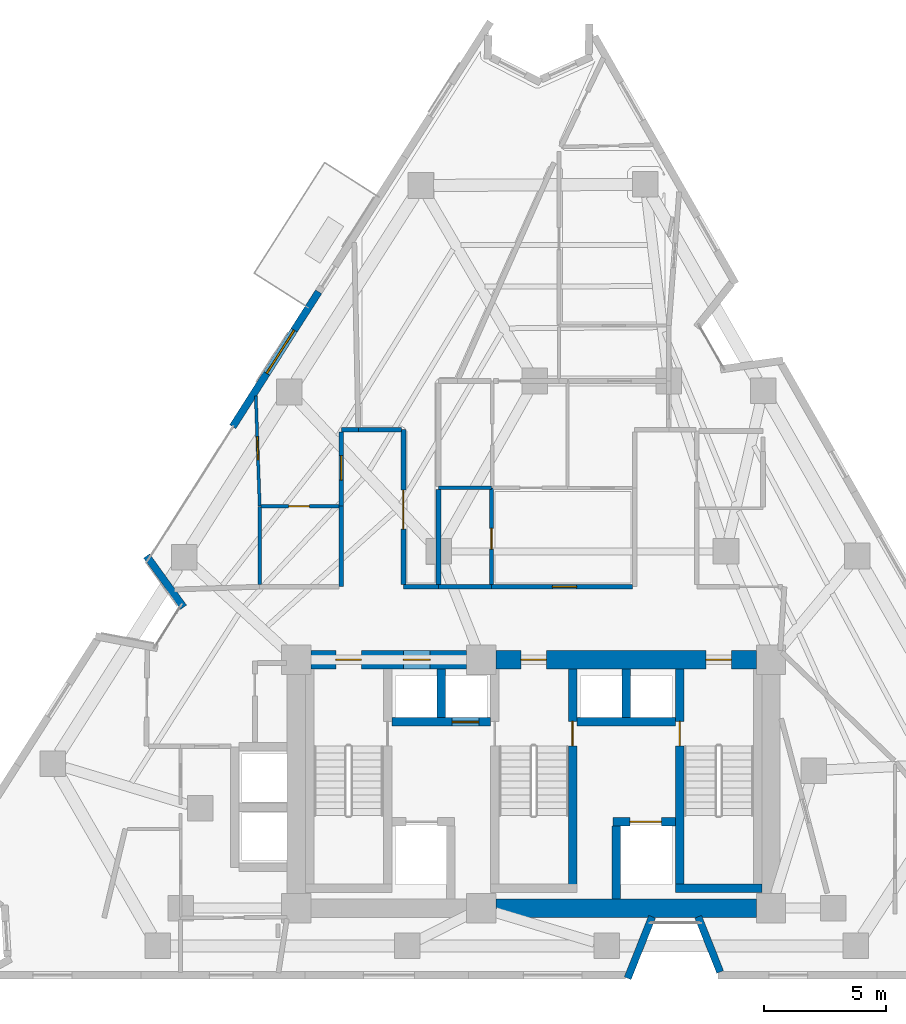
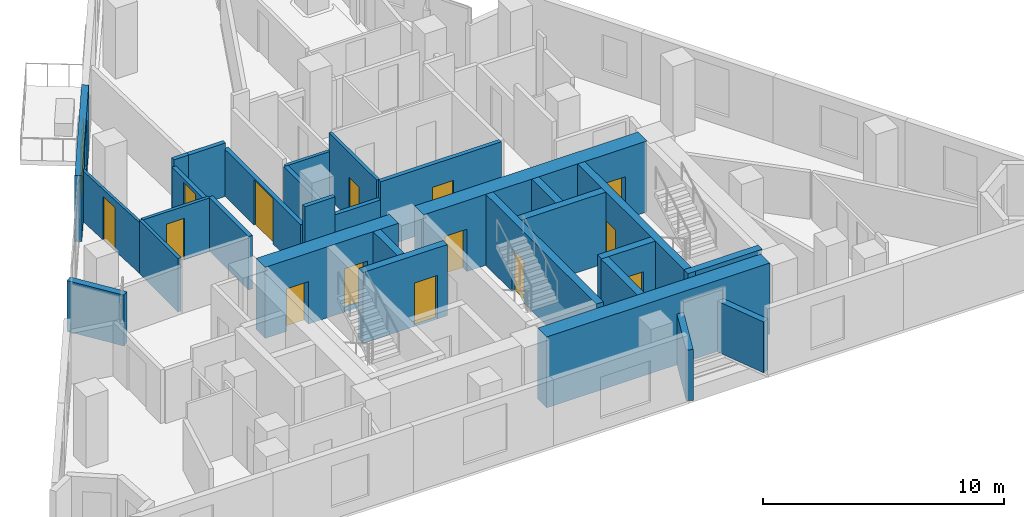
# One storey, part 6 of 11: 30 walls, 14 doors, 1 window, 15 openings.
"""IFC4 building model written with IfcOpenShell, lengths in metres."""

from ifc_helpers import new_model, si_unit, direction, frame, frame_2d, origin, place, context, subcontext, project, spatial, rectangle, extrude, material, layer, layer_set, type_object, element, fill, save


model = new_model("IFC4")

# Units and contexts
model_context = context("Model", 3, precision=1e-05, world=origin(), true_north=direction((0.0, 1.0)))
body_context = subcontext(model_context, "Body", "Model", "MODEL_VIEW")
ifc_project = project(units=[si_unit("LENGTHUNIT", "METRE"), si_unit("AREAUNIT", "SQUARE_METRE"), si_unit("VOLUMEUNIT", "CUBIC_METRE"), si_unit("PLANEANGLEUNIT", "RADIAN"), si_unit("MASSUNIT", "GRAM", prefix="KILO")], contexts=[model_context])

# Site, building, storey
site_placement = place(None, origin())
site = spatial("IfcSite", under=ifc_project, at=site_placement, CompositionType="ELEMENT")
building_placement = place(site_placement, origin())
building = spatial("IfcBuilding", under=site, at=building_placement, Name="Almagre Mirador Tower", CompositionType="ELEMENT")
storey_placement = place(building_placement, frame((0.0, 0.0, 135.60009765625)))
storey = spatial("IfcBuildingStorey", under=building, at=storey_placement, Name="L34", CompositionType="ELEMENT", Elevation=135.60009765625)

# Wall
ifc_material_1 = material(Name="Precast concrete C50/60", Category="concrete")
ifc_layer_1 = layer(ifc_material_1, 0.300048828125)
ifc_layer_set_1 = layer_set([ifc_layer_1], Name="Precast concrete C50/60")
wall_type_1 = type_object("IfcWallType", Name="WAL-EXT-300", PredefinedType="SOLIDWALL", material=ifc_layer_set_1)
wall_1_placement = place(storey_placement, frame((22.923828125, 16.908447265625, 0.0), z_axis=(0.0, 0.0, 1.0), x_axis=(-0.585229316709, 0.810867835633, 0.0)))
element("IfcWall", 1, at=wall_1_placement, inside=storey, type_object=wall_type_1, Name="L34 expressed almagre precast frame wall 02", PredefinedType="SOLIDWALL", context=body_context, shape_type="SweptSolid", body=[
    extrude(rectangle(XDim=2.593505859375, YDim=0.300048828125, at=frame_2d((1.296875, 0.0))), origin(), (0.0, 0.0, 1.0), 2.574951171875),
])

# Wall, opening, window
wall_2_placement = place(storey_placement, frame((24.941162109375, 24.32080078125, 0.0), z_axis=(0.0, 0.0, 1.0), x_axis=(0.537099115242, 0.84351914051, 0.0)))
wall_2 = element("IfcWall", 2, at=wall_2_placement, inside=storey, type_object=wall_type_1, Name="L34 expressed almagre precast frame wall 03", PredefinedType="SOLIDWALL", context=body_context, shape_type="SweptSolid", body=[
    extrude(rectangle(XDim=6.5693359375, YDim=0.300048828125, at=frame_2d((3.28466796875, 0.0))), origin(), (0.0, 0.0, 1.0), 3.349853515625),
])
opening_1_placement = place(wall_2_placement, frame((2.60009765625, 0.0, 0.550048828125)))
opening_1 = element("IfcOpeningElement", 3, at=opening_1_placement, cuts=wall_2, Name="Opening WN-05", PredefinedType="OPENING", context=body_context, shape_type="SweptSolid", body=[
    extrude(rectangle(XDim=2.10009765625, YDim=2.39990234375, at=frame_2d((1.050048828125, 1.199951171875))), frame((0.0, 0.159902, 0.0), z_axis=(0.0, -1.0, 0.0), x_axis=(1.0, 0.0, 0.0)), (0.0, 0.0, 1.0), 0.320049),
])
ifc_material_2 = material(Name="Dark solar-control laminated hurricane glass", Category="glass")
window_type = type_object("IfcWindowType", Name="WIN-2100X2400", PartitioningType="DOUBLE_PANEL_VERTICAL", PredefinedType="WINDOW", material=ifc_material_2)
window_placement = place(opening_1_placement, origin())
window = element("IfcWindow", 4, at=window_placement, inside=storey, type_object=window_type, Name="L34 recessed hurricane window L34-UF-ST", OverallHeight=2.39990234375, OverallWidth=2.10009765625, PartitioningType="SINGLE_PANEL", PredefinedType="WINDOW", context=body_context, shape_type="SweptSolid", body=[
    extrude(rectangle(XDim=2.10009765625, YDim=2.39990234375, at=frame_2d((1.050048828125, 1.199951171875))), frame((0.0, 0.030029296875, 0.0), z_axis=(0.0, -1.0, 0.0), x_axis=(1.0, 0.0, 0.0)), (0.0, 0.0, 1.0), 0.06005859375),
])
fill(opening_1, window)

# Walls
wall_3_placement = place(storey_placement, frame((44.960205078125, 1.93017578125, 0.0), z_axis=(0.0, 0.0, 1.0), x_axis=(-0.369476217581, 0.929240186734, 0.0)))
element("IfcWall", 5, at=wall_3_placement, inside=storey, type_object=wall_type_1, Name="L34 expressed almagre precast frame wall 24", PredefinedType="SOLIDWALL", context=body_context, shape_type="SweptSolid", body=[
    extrude(rectangle(XDim=2.441650390625, YDim=0.300048828125, at=frame_2d((1.220703125, 0.0))), origin(), (0.0, 0.0, 1.0), 2.574951171875),
])
wall_4_placement = place(storey_placement, frame((42.166015625, 4.198974609375, 0.0), z_axis=(0.0, 0.0, 1.0), x_axis=(-0.369487569888, -0.929235672851, 0.0)))
element("IfcWall", 6, at=wall_4_placement, inside=storey, type_object=wall_type_1, Name="L34 expressed almagre precast frame wall 25", PredefinedType="SOLIDWALL", context=body_context, shape_type="SweptSolid", body=[
    extrude(rectangle(XDim=2.7216796875, YDim=0.300048828125, at=frame_2d((1.36083984375, 0.0))), origin(), (0.0, 0.0, 1.0), 2.574951171875),
])

# Wall, opening, door
ifc_material_3 = material(Name="Gypsum acoustic stud partition", Category="other")
ifc_layer_2 = layer(ifc_material_3, 0.125)
ifc_layer_set_2 = layer_set([ifc_layer_2], Name="Gypsum acoustic stud partition")
wall_type_2 = type_object("IfcWallType", Name="WAL-PRT-125-UTL", PredefinedType="PARTITIONING", material=ifc_layer_set_2)
wall_5_placement = place(storey_placement, frame((25.889892578125, 25.592041015625, 0.0), z_axis=(0.0, 0.0, 1.0), x_axis=(0.03531706941, -0.999376157715, 0.0)))
wall_5 = element("IfcWall", 7, at=wall_5_placement, inside=storey, type_object=wall_type_2, Name="L34 interior partition 037", PredefinedType="PARTITIONING", context=body_context, shape_type="SweptSolid", body=[
    extrude(rectangle(XDim=4.534912109375, YDim=0.125, at=frame_2d((2.267578125, 0.0))), origin(), (0.0, 0.0, 1.0), 2.56982421875),
])
opening_2_placement = place(wall_5_placement, frame((1.679443359375, 0.0, 0.0)))
opening_2 = element("IfcOpeningElement", 8, at=opening_2_placement, cuts=wall_5, Name="Opening UD-01", PredefinedType="OPENING", context=body_context, shape_type="SweptSolid", body=[
    extrude(rectangle(XDim=0.949951171875, YDim=2.199951171875, at=frame_2d((0.47509765625, 1.10009765625))), frame((0.0, 0.0725, 0.0), z_axis=(0.0, -1.0, 0.0), x_axis=(1.0, 0.0, 0.0)), (0.0, 0.0, 1.0), 0.145),
])
ifc_material_4 = material(Name="Solid American walnut timber", Category="wood")
door_type_1 = type_object("IfcDoorType", Name="DOR-UNR-950X2200", OperationType="NOTDEFINED", PredefinedType="DOOR", material=ifc_material_4)
door_1_placement = place(opening_2_placement, origin())
door_1 = element("IfcDoor", 9, at=door_1_placement, inside=storey, type_object=door_type_1, Name="DR-1116 L34 interior door L34-UF-ST to L34-UF-KT", OperationType="SINGLE_SWING_RIGHT", OverallHeight=2.199951171875, OverallWidth=0.949951171875, PredefinedType="DOOR", context=body_context, shape_type="SweptSolid", body=[
    extrude(rectangle(XDim=0.949951171875, YDim=2.199951171875, at=frame_2d((0.47509765625, 1.10009765625))), frame((0.0, 0.02490234375, 0.0), z_axis=(0.0, -1.0, 0.0), x_axis=(1.0, 0.0, 0.0)), (0.0, 0.0, 1.0), 0.050048828125),
])
fill(opening_2, door_1)

ifc_material_5 = material(Name="Gypsum acoustic stud partition", Category="other")
ifc_layer_3 = layer(ifc_material_5, 0.14990234375)
ifc_layer_set_3 = layer_set([ifc_layer_3], Name="Gypsum acoustic stud partition")
wall_type_3 = type_object("IfcWallType", Name="WAL-PRT-150-STD", PredefinedType="PARTITIONING", material=ifc_layer_set_3)
wall_6_placement = place(storey_placement, frame((26.097412109375, 21.06005859375, 0.0), z_axis=(0.0, 0.0, 1.0), x_axis=(1.0, 0.0, 0.0)))
wall_6 = element("IfcWall", 10, at=wall_6_placement, inside=storey, type_object=wall_type_3, Name="L34 interior partition 038", PredefinedType="PARTITIONING", context=body_context, shape_type="SweptSolid", body=[
    extrude(rectangle(XDim=3.217529296875, YDim=0.14990234375, at=frame_2d((1.60888671875, 0.0))), origin(), (0.0, 0.0, 1.0), 2.708984375),
])
opening_3_placement = place(wall_6_placement, frame((1.14404296875, 0.0, 0.0)))
opening_3 = element("IfcOpeningElement", 11, at=opening_3_placement, cuts=wall_6, Name="Opening UD-04", PredefinedType="OPENING", context=body_context, shape_type="SweptSolid", body=[
    extrude(rectangle(XDim=0.85009765625, YDim=2.10009765625, at=frame_2d((0.425048828125, 1.050048828125))), frame((0.0, 0.084951, 0.0), z_axis=(0.0, -1.0, 0.0), x_axis=(1.0, 0.0, 0.0)), (0.0, 0.0, 1.0), 0.169902),
])
ifc_material_6 = material(Name="Moisture-resistant oak timber", Category="wood")
door_type_2 = type_object("IfcDoorType", Name="DOR-UNR-850X2100", OperationType="NOTDEFINED", PredefinedType="DOOR", material=ifc_material_6)
door_2_placement = place(opening_3_placement, origin())
door_2 = element("IfcDoor", 12, at=door_2_placement, inside=storey, type_object=door_type_2, Name="DR-1117 L34 interior door L34-UF-ST to L34-UF-BT", OperationType="SINGLE_SWING_LEFT", OverallHeight=2.10009765625, OverallWidth=0.85009765625, PredefinedType="DOOR", context=body_context, shape_type="SweptSolid", body=[
    extrude(rectangle(XDim=0.85009765625, YDim=2.10009765625, at=frame_2d((0.425048828125, 1.050048828125))), frame((0.0, 0.02490234375, 0.0), z_axis=(0.0, -1.0, 0.0), x_axis=(1.0, 0.0, 0.0)), (0.0, 0.0, 1.0), 0.050048828125),
])
fill(opening_3, door_2)

# Wall
wall_7_placement = place(storey_placement, frame((26.050048828125, 17.8349609375, 0.0), z_axis=(0.0, 0.0, 1.0), x_axis=(0.0, 1.0, 0.0)))
element("IfcWall", 13, at=wall_7_placement, inside=storey, type_object=wall_type_3, Name="L34 interior partition 040", PredefinedType="PARTITIONING", context=body_context, shape_type="SweptSolid", body=[
    extrude(rectangle(XDim=3.212646484375, YDim=0.14990234375, at=frame_2d((1.6064453125, 0.0))), origin(), (0.0, 0.0, 1.0), 2.708984375),
])

# Wall, opening, door
wall_8_placement = place(storey_placement, frame((35.570068359375, 21.81005859375, 0.0), z_axis=(0.0, 0.0, 1.0), x_axis=(0.0, -1.0, 0.0)))
wall_8 = element("IfcWall", 14, at=wall_8_placement, inside=storey, type_object=wall_type_3, Name="L34 interior partition 041", PredefinedType="PARTITIONING", context=body_context, shape_type="SweptSolid", body=[
    extrude(rectangle(XDim=3.97509765625, YDim=0.14990234375, at=frame_2d((1.987548828125, 0.0))), origin(), (0.0, 0.0, 1.0), 3.349853515625),
])
opening_4_placement = place(wall_8_placement, frame((1.66357421875, 0.0, 0.0)))
opening_4 = element("IfcOpeningElement", 15, at=opening_4_placement, cuts=wall_8, Name="Opening UD-04", PredefinedType="OPENING", context=body_context, shape_type="SweptSolid", body=[
    extrude(rectangle(XDim=0.85009765625, YDim=2.10009765625, at=frame_2d((0.425048828125, 1.050048828125))), frame((0.0, 0.084951, 0.0), z_axis=(0.0, -1.0, 0.0), x_axis=(1.0, 0.0, 0.0)), (0.0, 0.0, 1.0), 0.169902),
])
door_3_placement = place(opening_4_placement, origin())
door_3 = element("IfcDoor", 16, at=door_3_placement, inside=storey, type_object=door_type_2, Name="DR-1120 L34 interior door L34-UG-LV to L34-UG-HB", OperationType="SINGLE_SWING_RIGHT", OverallHeight=2.10009765625, OverallWidth=0.85009765625, PredefinedType="DOOR", context=body_context, shape_type="SweptSolid", body=[
    extrude(rectangle(XDim=0.85009765625, YDim=2.10009765625, at=frame_2d((0.425048828125, 1.050048828125))), frame((0.0, 0.02490234375, 0.0), z_axis=(0.0, -1.0, 0.0), x_axis=(1.0, 0.0, 0.0)), (0.0, 0.0, 1.0), 0.050048828125),
])
fill(opening_4, door_3)

# Walls
wall_9_placement = place(storey_placement, frame((35.570068359375, 21.81005859375, 0.0), z_axis=(0.0, 0.0, 1.0), x_axis=(-1.0, 0.0, 0.0)))
element("IfcWall", 17, at=wall_9_placement, inside=storey, type_object=wall_type_3, Name="L34 interior partition 044", PredefinedType="PARTITIONING", context=body_context, shape_type="SweptSolid", body=[
    extrude(rectangle(XDim=2.170166015625, YDim=0.14990234375, at=frame_2d((1.0849609375, 0.0))), origin(), (0.0, 0.0, 1.0), 2.435791015625),
])
ifc_material_7 = material(Name="Gypsum acoustic stud partition", Category="other")
ifc_layer_4 = layer(ifc_material_7, 0.199951171875)
ifc_layer_set_4 = layer_set([ifc_layer_4], Name="Gypsum acoustic stud partition")
wall_type_4 = type_object("IfcWallType", Name="WAL-PRT-200-EI60", PredefinedType="PARTITIONING", material=ifc_layer_set_4)
wall_10_placement = place(storey_placement, frame((30.10009765625, 24.199951171875, 0.0), z_axis=(0.0, 0.0, 1.0), x_axis=(-1.0, 0.0, 0.0)))
element("IfcWall", 18, at=wall_10_placement, inside=storey, type_object=wall_type_4, Name="L34 interior partition 007", PredefinedType="PARTITIONING", context=body_context, shape_type="SweptSolid", body=[
    extrude(rectangle(XDim=0.7001953125, YDim=0.199951171875, at=frame_2d((0.35009765625, 0.0))), origin(), (0.0, 0.0, 1.0), 2.708984375),
])

# Wall, opening, door
wall_11_placement = place(storey_placement, frame((29.39990234375, 24.114990234375, 0.0), z_axis=(0.0, 0.0, 1.0), x_axis=(0.0, -1.0, 0.0)))
wall_11 = element("IfcWall", 19, at=wall_11_placement, inside=storey, type_object=wall_type_4, Name="L34 interior partition 008", PredefinedType="PARTITIONING", context=body_context, shape_type="SweptSolid", body=[
    extrude(rectangle(XDim=3.054931640625, YDim=0.199951171875, at=frame_2d((1.52734375, 0.0))), origin(), (0.0, 0.0, 1.0), 2.371826171875),
])
opening_5_placement = place(wall_11_placement, frame((0.985107421875, 0.0, 0.0)))
opening_5 = element("IfcOpeningElement", 20, at=opening_5_placement, cuts=wall_11, Name="Opening ID-01", PredefinedType="OPENING", context=body_context, shape_type="SweptSolid", body=[
    extrude(rectangle(XDim=1.0, YDim=2.199951171875, at=frame_2d((0.5, 1.10009765625))), frame((0.0, 0.110098, 0.0), z_axis=(0.0, -1.0, 0.0), x_axis=(1.0, 0.0, 0.0)), (0.0, 0.0, 1.0), 0.219951),
])
ifc_material_8 = material(Name="Fire-rated walnut timber", Category="wood")
door_type_3 = type_object("IfcDoorType", Name="DOR-FD60-1000X2200", OperationType="NOTDEFINED", PredefinedType="DOOR", material=ifc_material_8)
door_4_placement = place(opening_5_placement, origin())
door_4 = element("IfcDoor", 21, at=door_4_placement, inside=storey, type_object=door_type_3, Name="DR-1115 L34 interior door L34-RCOR to L34-UF-ST", OperationType="SINGLE_SWING_LEFT", OverallHeight=2.199951171875, OverallWidth=1.0, PredefinedType="DOOR", context=body_context, shape_type="SweptSolid", body=[
    extrude(rectangle(XDim=1.0, YDim=2.199951171875, at=frame_2d((0.5, 1.10009765625))), frame((0.0, 0.02490234375, 0.0), z_axis=(0.0, -1.0, 0.0), x_axis=(1.0, 0.0, 0.0)), (0.0, 0.0, 1.0), 0.050048828125),
])
fill(opening_5, door_4)

# Wall
wall_12_placement = place(storey_placement, frame((29.39990234375, 21.06005859375, 0.0), z_axis=(0.0, 0.0, 1.0), x_axis=(0.0, -1.0, 0.0)))
element("IfcWall", 22, at=wall_12_placement, inside=storey, type_object=wall_type_4, Name="L34 interior partition 010", PredefinedType="PARTITIONING", context=body_context, shape_type="SweptSolid", body=[
    extrude(rectangle(XDim=3.31005859375, YDim=0.199951171875, at=frame_2d((1.655029296875, 0.0))), origin(), (0.0, 0.0, 1.0), 2.708984375),
])

# Wall, opening, door
wall_13_placement = place(storey_placement, frame((41.364990234375, 17.75, 0.0), z_axis=(0.0, 0.0, 1.0), x_axis=(-1.0, 0.0, 0.0)))
wall_13 = element("IfcWall", 23, at=wall_13_placement, inside=storey, type_object=wall_type_4, Name="L34 interior partition 013", PredefinedType="PARTITIONING", context=body_context, shape_type="SweptSolid", body=[
    extrude(rectangle(XDim=5.794921875, YDim=0.199951171875, at=frame_2d((2.8974609375, 0.0))), origin(), (0.0, 0.0, 1.0), 3.349853515625),
])
opening_6_placement = place(wall_13_placement, frame((2.2958984375, 0.0, 0.0)))
opening_6 = element("IfcOpeningElement", 24, at=opening_6_placement, cuts=wall_13, Name="Opening ID-01", PredefinedType="OPENING", context=body_context, shape_type="SweptSolid", body=[
    extrude(rectangle(XDim=1.0, YDim=2.199951171875, at=frame_2d((0.5, 1.10009765625))), frame((0.0, 0.110098, 0.0), z_axis=(0.0, -1.0, 0.0), x_axis=(1.0, 0.0, 0.0)), (0.0, 0.0, 1.0), 0.219951),
])
door_5_placement = place(opening_6_placement, origin())
door_5 = element("IfcDoor", 25, at=door_5_placement, inside=storey, type_object=door_type_3, Name="DR-1118 L34 interior door L34-RCOR to L34-UG-LV", OperationType="SINGLE_SWING_RIGHT", OverallHeight=2.199951171875, OverallWidth=1.0, PredefinedType="DOOR", context=body_context, shape_type="SweptSolid", body=[
    extrude(rectangle(XDim=1.0, YDim=2.199951171875, at=frame_2d((0.5, 1.10009765625))), frame((0.0, 0.02490234375, 0.0), z_axis=(0.0, -1.0, 0.0), x_axis=(1.0, 0.0, 0.0)), (0.0, 0.0, 1.0), 0.050048828125),
])
fill(opening_6, door_5)

# Walls
wall_14_placement = place(storey_placement, frame((35.570068359375, 17.75, 0.0), z_axis=(0.0, 0.0, 1.0), x_axis=(-1.0, 0.0, 0.0)))
element("IfcWall", 26, at=wall_14_placement, inside=storey, type_object=wall_type_4, Name="L34 interior partition 014", PredefinedType="PARTITIONING", context=body_context, shape_type="SweptSolid", body=[
    extrude(rectangle(XDim=2.170166015625, YDim=0.199951171875, at=frame_2d((1.0849609375, 0.0))), origin(), (0.0, 0.0, 1.0), 2.435791015625),
])
wall_15_placement = place(storey_placement, frame((33.39990234375, 17.75, 0.0), z_axis=(0.0, 0.0, 1.0), x_axis=(-1.0, 0.0, 0.0)))
element("IfcWall", 27, at=wall_15_placement, inside=storey, type_object=wall_type_4, Name="L34 interior partition 019", PredefinedType="PARTITIONING", context=body_context, shape_type="SweptSolid", body=[
    extrude(rectangle(XDim=1.449951171875, YDim=0.199951171875, at=frame_2d((0.72509765625, 0.0))), origin(), (0.0, 0.0, 1.0), 3.349853515625),
])

# Wall, opening, door
wall_16_placement = place(storey_placement, frame((31.949951171875, 17.8349609375, 0.0), z_axis=(0.0, 0.0, 1.0), x_axis=(0.0, 1.0, 0.0)))
wall_16 = element("IfcWall", 28, at=wall_16_placement, inside=storey, type_object=wall_type_4, Name="L34 interior partition 020", PredefinedType="PARTITIONING", context=body_context, shape_type="SweptSolid", body=[
    extrude(rectangle(XDim=6.364990234375, YDim=0.199951171875, at=frame_2d((3.1826171875, 0.0))), origin(), (0.0, 0.0, 1.0), 2.371826171875),
])
opening_7_placement = place(wall_16_placement, frame((2.281494140625, 0.0, 0.0)))
opening_7 = element("IfcOpeningElement", 29, at=opening_7_placement, cuts=wall_16, Name="Opening ID-05", PredefinedType="OPENING", context=body_context, shape_type="SweptSolid", body=[
    extrude(rectangle(XDim=1.60009765625, YDim=2.300048828125, at=frame_2d((0.800048828125, 1.14990234375))), frame((0.0, 0.110098, 0.0), z_axis=(0.0, -1.0, 0.0), x_axis=(1.0, 0.0, 0.0)), (0.0, 0.0, 1.0), 0.219951),
])
ifc_material_9 = material(Name="Fire-rated acoustic timber", Category="wood")
door_type_4 = type_object("IfcDoorType", Name="DOR-FD60-1600X2300", OperationType="DOUBLE_DOOR_SINGLE_SWING", PredefinedType="DOOR", material=ifc_material_9)
door_6_placement = place(opening_7_placement, origin())
door_6 = element("IfcDoor", 30, at=door_6_placement, inside=storey, type_object=door_type_4, Name="DR-1108 L34 interior door L34-RCOR to L34-RST-J", OperationType="DOUBLE_DOOR_SINGLE_SWING", OverallHeight=2.300048828125, OverallWidth=1.60009765625, PredefinedType="DOOR", context=body_context, shape_type="SweptSolid", body=[
    extrude(rectangle(XDim=1.60009765625, YDim=2.300048828125, at=frame_2d((0.800048828125, 1.14990234375))), frame((0.0, 0.02490234375, 0.0), z_axis=(0.0, -1.0, 0.0), x_axis=(1.0, 0.0, 0.0)), (0.0, 0.0, 1.0), 0.050048828125),
])
fill(opening_7, door_6)

# Walls
wall_17_placement = place(storey_placement, frame((31.864990234375, 24.199951171875, 0.0), z_axis=(0.0, 0.0, 1.0), x_axis=(-1.0, 0.0, 0.0)))
element("IfcWall", 31, at=wall_17_placement, inside=storey, type_object=wall_type_4, Name="L34 interior partition 021", PredefinedType="PARTITIONING", context=body_context, shape_type="SweptSolid", body=[
    extrude(rectangle(XDim=1.764892578125, YDim=0.199951171875, at=frame_2d((0.88232421875, 0.0))), origin(), (0.0, 0.0, 1.0), 2.708984375),
])
wall_18_placement = place(storey_placement, frame((33.39990234375, 21.75, 0.0), z_axis=(0.0, 0.0, 1.0), x_axis=(0.0, -1.0, 0.0)))
element("IfcWall", 32, at=wall_18_placement, inside=storey, type_object=wall_type_4, Name="L34 interior partition 045", PredefinedType="PARTITIONING", context=body_context, shape_type="SweptSolid", body=[
    extrude(rectangle(XDim=3.9150390625, YDim=0.199951171875, at=frame_2d((1.95751953125, 0.0))), origin(), (0.0, 0.0, 1.0), 2.435791015625),
])

# Wall, opening, door
ifc_material_10 = material(Name="Concrete C60/75", Category="concrete")
ifc_layer_5 = layer(ifc_material_10, 0.35009765625)
ifc_layer_set_5 = layer_set([ifc_layer_5], Name="Concrete C60/75")
wall_type_5 = type_object("IfcWallType", Name="WAL-SHF-350", PredefinedType="SOLIDWALL", material=ifc_layer_set_5)
wall_19_placement = place(storey_placement, frame((38.89990234375, 5.199951171875, 0.0), z_axis=(0.0, 0.0, 1.0), x_axis=(0.0, 1.0, 0.0)))
wall_19 = element("IfcWall", 33, at=wall_19_placement, inside=storey, type_object=wall_type_5, Name="L34 shaft wall ST2-E", PredefinedType="SOLIDWALL", context=body_context, shape_type="SweptSolid", body=[
    extrude(rectangle(XDim=9.175048828125, YDim=0.35009765625, at=frame_2d((4.58740234375, 0.0))), origin(), (0.0, 0.0, 1.0), 3.599853515625),
])
opening_8_placement = place(wall_19_placement, frame((6.02001953125, 0.0, 0.0)))
opening_8 = element("IfcOpeningElement", 34, at=opening_8_placement, cuts=wall_19, Name="Opening FD-01", PredefinedType="OPENING", context=body_context, shape_type="SweptSolid", body=[
    extrude(rectangle(XDim=1.0, YDim=2.14990234375, at=frame_2d((0.5, 1.074951171875))), frame((0.0, 0.185049, 0.0), z_axis=(0.0, -1.0, 0.0), x_axis=(1.0, 0.0, 0.0)), (0.0, 0.0, 1.0), 0.370098),
])
ifc_material_11 = material(Name="Fire-rated hollow steel", Category="steel")
door_type_5 = type_object("IfcDoorType", Name="DOR-FFL-1000X2150", OperationType="NOTDEFINED", PredefinedType="DOOR", material=ifc_material_11)
door_7_placement = place(opening_8_placement, origin())
door_7 = element("IfcDoor", 35, at=door_7_placement, inside=storey, type_object=door_type_5, Name="DR-1104 L34 FFL2-ST2 smokeproof door", OperationType="SINGLE_SWING_RIGHT", OverallHeight=2.14990234375, OverallWidth=1.0, PredefinedType="DOOR", context=body_context, shape_type="SweptSolid", body=[
    extrude(rectangle(XDim=1.0, YDim=2.14990234375, at=frame_2d((0.5, 1.074951171875))), frame((0.0, 0.02490234375, 0.0), z_axis=(0.0, -1.0, 0.0), x_axis=(1.0, 0.0, 0.0)), (0.0, 0.0, 1.0), 0.050048828125),
])
fill(opening_8, door_7)

wall_20_placement = place(storey_placement, frame((43.300048828125, 5.199951171875, 0.0), z_axis=(0.0, 0.0, 1.0), x_axis=(0.0, 1.0, 0.0)))
wall_20 = element("IfcWall", 36, at=wall_20_placement, inside=storey, type_object=wall_type_5, Name="L34 shaft wall ST3-W", PredefinedType="SOLIDWALL", context=body_context, shape_type="SweptSolid", body=[
    extrude(rectangle(XDim=9.175048828125, YDim=0.35009765625, at=frame_2d((4.58740234375, 0.0))), origin(), (0.0, 0.0, 1.0), 3.599853515625),
])
opening_9_placement = place(wall_20_placement, frame((6.02001953125, 0.0, 0.0)))
opening_9 = element("IfcOpeningElement", 37, at=opening_9_placement, cuts=wall_20, Name="Opening FD-01", PredefinedType="OPENING", context=body_context, shape_type="SweptSolid", body=[
    extrude(rectangle(XDim=1.0, YDim=2.14990234375, at=frame_2d((0.5, 1.074951171875))), frame((0.0, 0.185049, 0.0), z_axis=(0.0, -1.0, 0.0), x_axis=(1.0, 0.0, 0.0)), (0.0, 0.0, 1.0), 0.370098),
])
door_8_placement = place(opening_9_placement, origin())
door_8 = element("IfcDoor", 38, at=door_8_placement, inside=storey, type_object=door_type_5, Name="DR-1105 L34 FFL2-ST3 smokeproof door", OperationType="SINGLE_SWING_LEFT", OverallHeight=2.14990234375, OverallWidth=1.0, PredefinedType="DOOR", context=body_context, shape_type="SweptSolid", body=[
    extrude(rectangle(XDim=1.0, YDim=2.14990234375, at=frame_2d((0.5, 1.074951171875))), frame((0.0, 0.02490234375, 0.0), z_axis=(0.0, -1.0, 0.0), x_axis=(1.0, 0.0, 0.0)), (0.0, 0.0, 1.0), 0.050048828125),
])
fill(opening_9, door_8)

# Wall
wall_21_placement = place(storey_placement, frame((43.125, 5.375, 0.0), z_axis=(0.0, 0.0, 1.0), x_axis=(1.0, 0.0, 0.0)))
element("IfcWall", 39, at=wall_21_placement, inside=storey, type_object=wall_type_5, Name="L34 shaft wall ST3-S", PredefinedType="SOLIDWALL", context=body_context, shape_type="SweptSolid", body=[
    extrude(rectangle(XDim=3.550048828125, YDim=0.35009765625, at=frame_2d((1.77490234375, 0.0))), origin(), (0.0, 0.0, 1.0), 3.599853515625),
])

# Wall, opening, door
wall_22_placement = place(storey_placement, frame((40.550048828125, 8.10009765625, 0.0), z_axis=(0.0, 0.0, 1.0), x_axis=(1.0, 0.0, 0.0)))
wall_22 = element("IfcWall", 40, at=wall_22_placement, inside=storey, type_object=wall_type_5, Name="L34 shaft wall FSAE2-N", PredefinedType="SOLIDWALL", context=body_context, shape_type="SweptSolid", body=[
    extrude(rectangle(XDim=2.574951171875, YDim=0.35009765625, at=frame_2d((1.28759765625, 0.0))), origin(), (0.0, 0.0, 1.0), 3.599853515625),
])
opening_10_placement = place(wall_22_placement, frame((0.699951171875, 0.0, 0.0)))
opening_10 = element("IfcOpeningElement", 41, at=opening_10_placement, cuts=wall_22, Name="Opening LD-03", PredefinedType="OPENING", context=body_context, shape_type="SweptSolid", body=[
    extrude(rectangle(XDim=1.300048828125, YDim=2.25, at=frame_2d((0.64990234375, 1.125))), frame((0.0, 0.185049, 0.0), z_axis=(0.0, -1.0, 0.0), x_axis=(1.0, 0.0, 0.0)), (0.0, 0.0, 1.0), 0.370098),
])
ifc_material_12 = material(Name="Hollow stainless steel", Category="steel")
door_type_6 = type_object("IfcDoorType", Name="DOR-LD-1300X2250", OperationType="DOUBLE_DOOR_SLIDING", PredefinedType="DOOR", material=ifc_material_12)
door_9_placement = place(opening_10_placement, origin())
door_9 = element("IfcDoor", 42, at=door_9_placement, inside=storey, type_object=door_type_6, Name="DR-1134 L34 FSAE-2 lift landing door", OperationType="DOUBLE_DOOR_SLIDING", OverallHeight=2.25, OverallWidth=1.300048828125, PredefinedType="DOOR", context=body_context, shape_type="SweptSolid", body=[
    extrude(rectangle(XDim=1.300048828125, YDim=2.25, at=frame_2d((0.64990234375, 1.125))), frame((0.0, 0.02490234375, 0.0), z_axis=(0.0, -1.0, 0.0), x_axis=(1.0, 0.0, 0.0)), (0.0, 0.0, 1.0), 0.050048828125),
])
fill(opening_10, door_9)

# Wall
wall_23_placement = place(storey_placement, frame((40.699951171875, 4.925048828125, 0.0), z_axis=(0.0, 0.0, 1.0), x_axis=(0.0, 1.0, 0.0)))
element("IfcWall", 43, at=wall_23_placement, inside=storey, type_object=wall_type_5, Name="L34 shaft wall FSAE2-W", PredefinedType="SOLIDWALL", context=body_context, shape_type="SweptSolid", body=[
    extrude(rectangle(XDim=3.0, YDim=0.35009765625, at=frame_2d((1.5, 0.0))), origin(), (0.0, 0.0, 1.0), 3.599853515625),
])

# Wall, opening, door
wall_24_placement = place(storey_placement, frame((31.47509765625, 12.199951171875, 0.0), z_axis=(0.0, 0.0, 1.0), x_axis=(1.0, 0.0, 0.0)))
wall_24 = element("IfcWall", 44, at=wall_24_placement, inside=storey, type_object=wall_type_5, Name="L34 shaft wall PLM-S", PredefinedType="SOLIDWALL", context=body_context, shape_type="SweptSolid", body=[
    extrude(rectangle(XDim=4.0498046875, YDim=0.35009765625, at=frame_2d((2.02490234375, 0.0))), origin(), (0.0, 0.0, 1.0), 3.599853515625),
])
opening_11_placement = place(wall_24_placement, frame((2.47509765625, 0.0, 0.0)))
opening_11 = element("IfcOpeningElement", 45, at=opening_11_placement, cuts=wall_24, Name="Opening LD-01", PredefinedType="OPENING", context=body_context, shape_type="SweptSolid", body=[
    extrude(rectangle(XDim=1.10009765625, YDim=2.199951171875, at=frame_2d((0.550048828125, 1.10009765625))), frame((0.0, 0.185049, 0.0), z_axis=(0.0, -1.0, 0.0), x_axis=(1.0, 0.0, 0.0)), (0.0, 0.0, 1.0), 0.370098),
])
ifc_material_13 = material(Name="Hollow stainless steel", Category="steel")
door_type_7 = type_object("IfcDoorType", Name="DOR-LD-1100X2200", OperationType="DOUBLE_DOOR_SLIDING", PredefinedType="DOOR", material=ifc_material_13)
door_10_placement = place(opening_11_placement, origin())
door_10 = element("IfcDoor", 46, at=door_10_placement, inside=storey, type_object=door_type_7, Name="DR-1136 L34 PL-M2 lift landing door", OperationType="DOUBLE_DOOR_SLIDING", OverallHeight=2.199951171875, OverallWidth=1.10009765625, PredefinedType="DOOR", context=body_context, shape_type="SweptSolid", body=[
    extrude(rectangle(XDim=1.10009765625, YDim=2.199951171875, at=frame_2d((0.550048828125, 1.10009765625))), frame((0.0, 0.02490234375, 0.0), z_axis=(0.0, -1.0, 0.0), x_axis=(1.0, 0.0, 0.0)), (0.0, 0.0, 1.0), 0.050048828125),
])
fill(opening_11, door_10)

# Walls
wall_25_placement = place(storey_placement, frame((33.5, 12.375, 0.0), z_axis=(0.0, 0.0, 1.0), x_axis=(0.0, 1.0, 0.0)))
element("IfcWall", 47, at=wall_25_placement, inside=storey, type_object=wall_type_5, Name="L34 shaft wall PLM-M", PredefinedType="SOLIDWALL", context=body_context, shape_type="SweptSolid", body=[
    extrude(rectangle(XDim=2.0, YDim=0.35009765625, at=frame_2d((1.0, 0.0))), origin(), (0.0, 0.0, 1.0), 3.599853515625),
])
wall_26_placement = place(storey_placement, frame((39.074951171875, 12.199951171875, 0.0), z_axis=(0.0, 0.0, 1.0), x_axis=(1.0, 0.0, 0.0)))
element("IfcWall", 48, at=wall_26_placement, inside=storey, type_object=wall_type_5, Name="L34 shaft wall PLH-S", PredefinedType="SOLIDWALL", context=body_context, shape_type="SweptSolid", body=[
    extrude(rectangle(XDim=4.050048828125, YDim=0.35009765625, at=frame_2d((2.02490234375, 0.0))), origin(), (0.0, 0.0, 1.0), 3.599853515625),
])
wall_27_placement = place(storey_placement, frame((41.10009765625, 12.375, 0.0), z_axis=(0.0, 0.0, 1.0), x_axis=(0.0, 1.0, 0.0)))
element("IfcWall", 49, at=wall_27_placement, inside=storey, type_object=wall_type_5, Name="L34 shaft wall PLH-M", PredefinedType="SOLIDWALL", context=body_context, shape_type="SweptSolid", body=[
    extrude(rectangle(XDim=2.0, YDim=0.35009765625, at=frame_2d((1.0, 0.0))), origin(), (0.0, 0.0, 1.0), 3.599853515625),
])
ifc_material_14 = material(Name="Concrete C60/75", Category="concrete")
ifc_layer_6 = layer(ifc_material_14, 0.75)
ifc_layer_set_6 = layer_set([ifc_layer_6], Name="Concrete C60/75")
wall_type_6 = type_object("IfcWallType", Name="WAL-SHR-750", PredefinedType="SHEAR", material=ifc_layer_set_6)
wall_28_placement = place(storey_placement, frame((35.75, 4.550048828125, 0.0), z_axis=(0.0, 0.0, 1.0), x_axis=(1.0, 0.0, 0.0)))
element("IfcWall", 50, at=wall_28_placement, inside=storey, type_object=wall_type_6, Name="L34 core shear wall S2", PredefinedType="SHEAR", context=body_context, shape_type="SweptSolid", body=[
    extrude(rectangle(XDim=10.699951171875, YDim=0.75, at=frame_2d((5.35009765625, 0.0))), origin(), (0.0, 0.0, 1.0), 3.599853515625),
])

# Wall, openings, doors
wall_29_placement = place(storey_placement, frame((28.14990234375, 14.75, 0.0), z_axis=(0.0, 0.0, 1.0), x_axis=(1.0, 0.0, 0.0)))
wall_29 = element("IfcWall", 51, at=wall_29_placement, inside=storey, type_object=wall_type_6, Name="L34 core shear wall N1", PredefinedType="SHEAR", context=body_context, shape_type="SweptSolid", body=[
    extrude(rectangle(XDim=6.400146484375, YDim=0.75, at=frame_2d((3.2001953125, 0.0))), origin(), (0.0, 0.0, 1.0), 3.599853515625),
])
opening_12_placement = place(wall_29_placement, frame((1.02490234375, 0.0, 0.0)))
opening_12 = element("IfcOpeningElement", 52, at=opening_12_placement, cuts=wall_29, Name="Opening SD-01", PredefinedType="OPENING", context=body_context, shape_type="SweptSolid", body=[
    extrude(rectangle(XDim=1.050048828125, YDim=2.14990234375, at=frame_2d((0.52490234375, 1.074951171875))), frame((0.0, 0.385, 0.0), z_axis=(0.0, -1.0, 0.0), x_axis=(1.0, 0.0, 0.0)), (0.0, 0.0, 1.0), 0.77),
])
opening_13_placement = place(wall_29_placement, frame((3.800048828125, 0.0, 0.0)))
opening_13 = element("IfcOpeningElement", 53, at=opening_13_placement, cuts=wall_29, Name="Opening LD-01", PredefinedType="OPENING", context=body_context, shape_type="SweptSolid", body=[
    extrude(rectangle(XDim=1.10009765625, YDim=2.199951171875, at=frame_2d((0.550048828125, 1.10009765625))), frame((0.0, 0.385, 0.0), z_axis=(0.0, -1.0, 0.0), x_axis=(1.0, 0.0, 0.0)), (0.0, 0.0, 1.0), 0.77),
])
door_11_placement = place(opening_13_placement, origin())
door_11 = element("IfcDoor", 54, at=door_11_placement, inside=storey, type_object=door_type_7, Name="DR-1135 L34 PL-M1 lift landing door", OperationType="DOUBLE_DOOR_SLIDING", OverallHeight=2.199951171875, OverallWidth=1.10009765625, PredefinedType="DOOR", context=body_context, shape_type="SweptSolid", body=[
    extrude(rectangle(XDim=1.10009765625, YDim=2.199951171875, at=frame_2d((0.550048828125, 1.10009765625))), frame((0.0, 0.02490234375, 0.0), z_axis=(0.0, -1.0, 0.0), x_axis=(1.0, 0.0, 0.0)), (0.0, 0.0, 1.0), 0.050048828125),
])
fill(opening_13, door_11)
ifc_material_15 = material(Name="Fire-rated hollow steel", Category="steel")
door_type_8 = type_object("IfcDoorType", Name="DOR-ST-1050X2150", OperationType="NOTDEFINED", PredefinedType="DOOR", material=ifc_material_15)
door_12_placement = place(opening_12_placement, origin())
door_12 = element("IfcDoor", 55, at=door_12_placement, inside=storey, type_object=door_type_8, Name="DR-1137 L34 protected exit stair ST-1 door", OperationType="SINGLE_SWING_RIGHT", OverallHeight=2.14990234375, OverallWidth=1.050048828125, PredefinedType="DOOR", context=body_context, shape_type="SweptSolid", body=[
    extrude(rectangle(XDim=1.050048828125, YDim=2.14990234375, at=frame_2d((0.52490234375, 1.074951171875))), frame((0.0, 0.02490234375, 0.0), z_axis=(0.0, -1.0, 0.0), x_axis=(1.0, 0.0, 0.0)), (0.0, 0.0, 1.0), 0.050048828125),
])
fill(opening_12, door_12)

wall_30_placement = place(storey_placement, frame((35.75, 14.75, 0.0), z_axis=(0.0, 0.0, 1.0), x_axis=(1.0, 0.0, 0.0)))
wall_30 = element("IfcWall", 56, at=wall_30_placement, inside=storey, type_object=wall_type_6, Name="L34 core shear wall N2", PredefinedType="SHEAR", context=body_context, shape_type="SweptSolid", body=[
    extrude(rectangle(XDim=10.699951171875, YDim=0.75, at=frame_2d((5.35009765625, 0.0))), origin(), (0.0, 0.0, 1.0), 3.599853515625),
])
opening_14_placement = place(wall_30_placement, frame((1.02490234375, 0.0, 0.0)))
opening_14 = element("IfcOpeningElement", 57, at=opening_14_placement, cuts=wall_30, Name="Opening SD-01", PredefinedType="OPENING", context=body_context, shape_type="SweptSolid", body=[
    extrude(rectangle(XDim=1.050048828125, YDim=2.14990234375, at=frame_2d((0.52490234375, 1.074951171875))), frame((0.0, 0.385, 0.0), z_axis=(0.0, -1.0, 0.0), x_axis=(1.0, 0.0, 0.0)), (0.0, 0.0, 1.0), 0.77),
])
opening_15_placement = place(wall_30_placement, frame((8.625, 0.0, 0.0)))
opening_15 = element("IfcOpeningElement", 58, at=opening_15_placement, cuts=wall_30, Name="Opening SD-01", PredefinedType="OPENING", context=body_context, shape_type="SweptSolid", body=[
    extrude(rectangle(XDim=1.050048828125, YDim=2.14990234375, at=frame_2d((0.52490234375, 1.074951171875))), frame((0.0, 0.385, 0.0), z_axis=(0.0, -1.0, 0.0), x_axis=(1.0, 0.0, 0.0)), (0.0, 0.0, 1.0), 0.77),
])
door_13_placement = place(opening_14_placement, origin())
door_13 = element("IfcDoor", 59, at=door_13_placement, inside=storey, type_object=door_type_8, Name="DR-1138 L34 protected exit stair ST-2 door", OperationType="SINGLE_SWING_RIGHT", OverallHeight=2.14990234375, OverallWidth=1.050048828125, PredefinedType="DOOR", context=body_context, shape_type="SweptSolid", body=[
    extrude(rectangle(XDim=1.050048828125, YDim=2.14990234375, at=frame_2d((0.52490234375, 1.074951171875))), frame((0.0, 0.02490234375, 0.0), z_axis=(0.0, -1.0, 0.0), x_axis=(1.0, 0.0, 0.0)), (0.0, 0.0, 1.0), 0.050048828125),
])
fill(opening_14, door_13)
door_14_placement = place(opening_15_placement, origin())
door_14 = element("IfcDoor", 60, at=door_14_placement, inside=storey, type_object=door_type_8, Name="DR-1139 L34 protected exit stair ST-3 door", OperationType="SINGLE_SWING_LEFT", OverallHeight=2.14990234375, OverallWidth=1.050048828125, PredefinedType="DOOR", context=body_context, shape_type="SweptSolid", body=[
    extrude(rectangle(XDim=1.050048828125, YDim=2.14990234375, at=frame_2d((0.52490234375, 1.074951171875))), frame((0.0, 0.02490234375, 0.0), z_axis=(0.0, -1.0, 0.0), x_axis=(1.0, 0.0, 0.0)), (0.0, 0.0, 1.0), 0.050048828125),
])
fill(opening_15, door_14)

save(model, "model.ifc")
